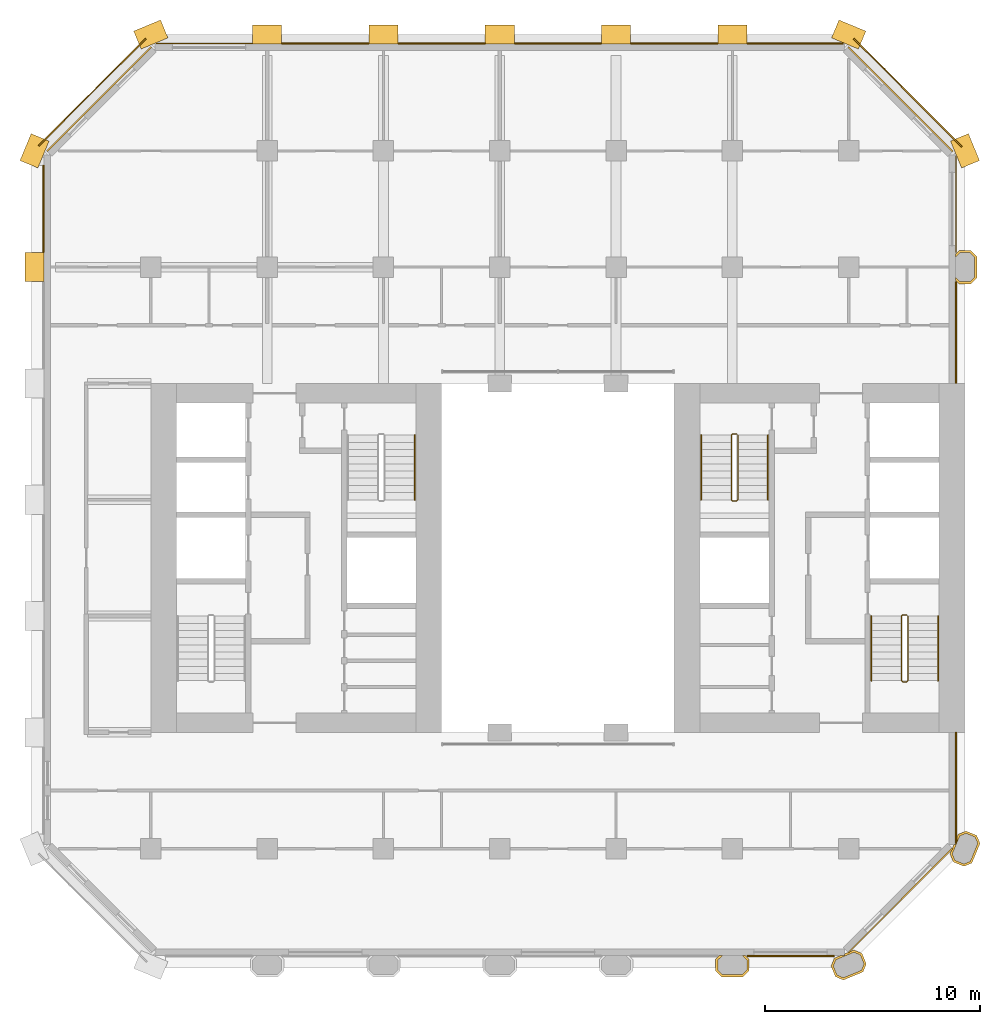
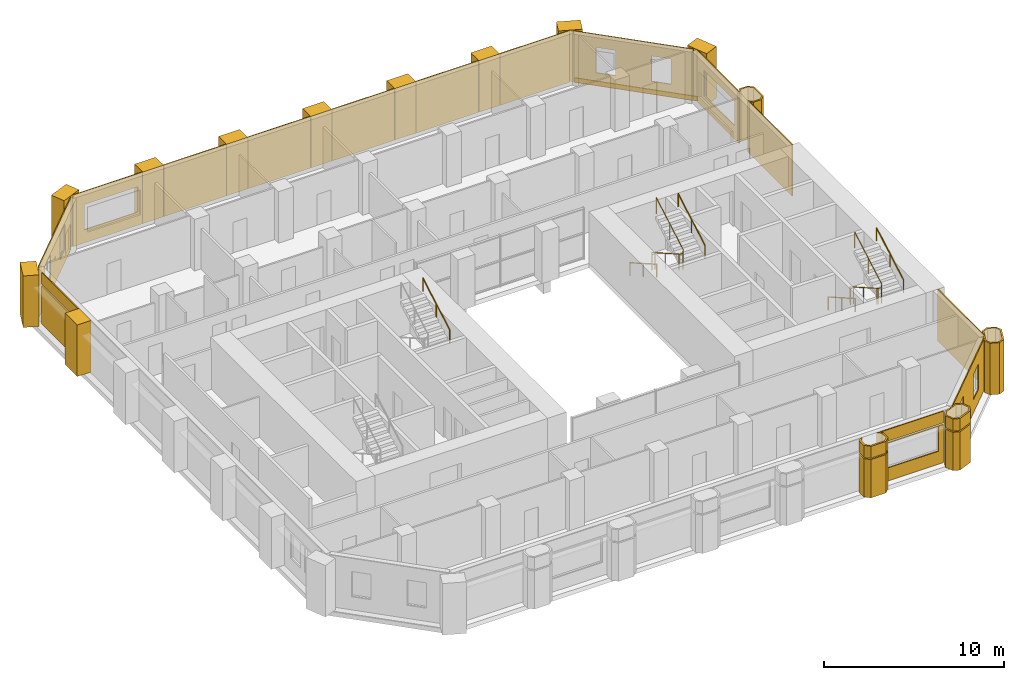
# One storey, part 12 of 12: 34 coverings, 7 railings.
"""IFC4 building model written with IfcOpenShell, lengths in metres."""

import ifcopenshell
import ifcopenshell.guid

model = None  # the IFC model being written
_history = None  # IfcOwnerHistory: only IFC2X3 demands one
_inside = {}  # id of a spatial element -> (the spatial element, [elements in it])
_under = {}  # id of a project, library or spatial element -> (it, [spatial elements below it])
_declared = {}  # id of a project -> (the project, [libraries it declares])
_typed = {}  # id of a type object -> (the type object, [elements of that type])
_made_of = {}  # id of a material, layer set ... -> (it, [elements and type objects made of it])


def new_model(schema):
    """Start an empty IFC model of exactly this schema.

    Asked for "IFC4X3", IfcOpenShell would pick the latest addendum, in which some entities
    have other attributes; the version numbers below select the first issue.
    IFC2X3 requires an IfcOwnerHistory on every rooted entity: one is made here for all.
    """
    global model, _history
    if schema == "IFC4X3":
        model = ifcopenshell.file(schema_version=(4, 3, 0, 0))
    else:
        model = ifcopenshell.file(schema=schema)
    _inside.clear()
    _under.clear()
    _declared.clear()
    _typed.clear()
    _made_of.clear()
    _history = None
    if model.schema == "IFC2X3":
        org = make("IfcOrganization", Name="unknown")
        user = make(
            "IfcPersonAndOrganization",
            ThePerson=make("IfcPerson", FamilyName="unknown"),
            TheOrganization=org,
        )
        app = make(
            "IfcApplication",
            ApplicationDeveloper=org,
            Version="unknown",
            ApplicationFullName="unknown",
            ApplicationIdentifier="unknown",
        )
        _history = make(
            "IfcOwnerHistory",
            OwningUser=user,
            OwningApplication=app,
            ChangeAction="ADDED",
            CreationDate=0,
        )
    return model


def make(cls, **values):
    """One entity of the class cls with the attributes given. An attribute that is None is left unset."""
    return model.create_entity(
        cls, **{name: value for name, value in values.items() if value is not None}
    )


def rooted(cls, **values):
    """An entity with a GlobalId (a new one), such as an element, a storey or a relation."""
    return make(cls, GlobalId=ifcopenshell.guid.new(), OwnerHistory=_history, **values)


def si_unit(unit_type, name, prefix=None):
    """IfcSIUnit, for example si_unit("LENGTHUNIT", "METRE", prefix="MILLI")."""
    return make("IfcSIUnit", UnitType=unit_type, Prefix=prefix, Name=name)


def assignment(units):
    """IfcUnitAssignment: the units of a project."""
    return None if units is None else make("IfcUnitAssignment", Units=units)


def point(xyz):
    """IfcCartesianPoint."""
    return None if xyz is None else make("IfcCartesianPoint", Coordinates=xyz)


def direction(xyz):
    """IfcDirection."""
    return None if xyz is None else make("IfcDirection", DirectionRatios=xyz)


def frame(location, z_axis=None, x_axis=None):
    """IfcAxis2Placement3D, a coordinate frame: its origin and axes. An axis left out is left unset."""
    return make(
        "IfcAxis2Placement3D",
        Location=point(location),
        Axis=direction(z_axis),
        RefDirection=direction(x_axis),
    )


def frame_2d(location, x_axis=None):
    """IfcAxis2Placement2D, a coordinate frame in the plane: its origin and x axis."""
    return make(
        "IfcAxis2Placement2D", Location=point(location), RefDirection=direction(x_axis)
    )


def origin():
    """The frame at (0, 0, 0) with its axes left unset."""
    return frame((0.0, 0.0, 0.0))


def origin_2d():
    """The frame at (0, 0) in the plane with its x axis left unset."""
    return frame_2d((0.0, 0.0))


def place(relative_to, where):
    """IfcLocalPlacement: puts the frame where relative to a parent placement (None: the world)."""
    return make(
        "IfcLocalPlacement", PlacementRelTo=relative_to, RelativePlacement=where
    )


def context(
    kind, dimensions, precision=None, world=None, true_north=None, identifier=None
):
    """IfcGeometricRepresentationContext, for example the 3D "Model" context."""
    return make(
        "IfcGeometricRepresentationContext",
        ContextIdentifier=identifier,
        ContextType=kind,
        CoordinateSpaceDimension=dimensions,
        Precision=precision,
        WorldCoordinateSystem=world,
        TrueNorth=true_north,
    )


def subcontext(parent, identifier, kind, view, scale=None):
    """IfcGeometricRepresentationSubContext, for example "Body" below "Model"."""
    return make(
        "IfcGeometricRepresentationSubContext",
        ContextIdentifier=identifier,
        ContextType=kind,
        ParentContext=parent,
        TargetScale=scale,
        TargetView=view,
    )


def project(units=None, contexts=None):
    """IfcProject with its units and contexts."""
    return rooted(
        "IfcProject",
        Name="project",
        RepresentationContexts=contexts,
        UnitsInContext=assignment(units),
    )


def spatial(cls, under=None, at=None, **own):
    """A site, building, storey or space (cls), placed at a placement, below another one or the project."""
    s = rooted(cls, ObjectPlacement=at, **own)
    if under is not None:
        _under.setdefault(under.id(), (under, []))[1].append(s)
    return s


def polyline(points):
    """IfcPolyline through the points."""
    return make("IfcPolyline", Points=[point(p) for p in points])


def profile(cls, at=None, kind="AREA", **sizes):
    """A parametric profile (cls). Its sizes go by their IFC names, for example OverallWidth=200.0."""
    return make(cls, ProfileType=kind, Position=at, **sizes)


def rectangle(**sizes):
    """IfcRectangleProfileDef."""
    return profile("IfcRectangleProfileDef", **sizes)


def circle(**sizes):
    """IfcCircleProfileDef."""
    return profile("IfcCircleProfileDef", **sizes)


def outline(outer, holes=None, kind="AREA"):
    """IfcArbitraryClosedProfileDef: a profile drawn as a closed curve; with holes, ...WithVoids."""
    if holes is None:
        return make("IfcArbitraryClosedProfileDef", ProfileType=kind, OuterCurve=outer)
    return make(
        "IfcArbitraryProfileDefWithVoids",
        ProfileType=kind,
        OuterCurve=outer,
        InnerCurves=holes,
    )


def extrude(swept, where, along, depth):
    """IfcExtrudedAreaSolid: the profile swept, set in the frame where, extruded along a direction by depth."""
    return make(
        "IfcExtrudedAreaSolid",
        SweptArea=swept,
        Position=where,
        ExtrudedDirection=direction(along),
        Depth=depth,
    )


def shape(context_of_items, identifier, shape_type, items):
    """IfcShapeRepresentation: the items that make up one representation, for example the "Body"."""
    return make(
        "IfcShapeRepresentation",
        ContextOfItems=context_of_items,
        RepresentationIdentifier=identifier,
        RepresentationType=shape_type,
        Items=items,
    )


def material(Name=None, Category=None):
    """IfcMaterial."""
    return make("IfcMaterial", Name=Name, Category=Category)


def layer(
    of_material, thickness, ventilated=None, Name=None, Category=None, Priority=None
):
    """IfcMaterialLayer: one layer of a wall or slab, of a material (None: an air gap)."""
    return make(
        "IfcMaterialLayer",
        Material=of_material,
        LayerThickness=thickness,
        IsVentilated=ventilated,
        Name=Name,
        Category=Category,
        Priority=Priority,
    )


def layer_set(layers, Name=None):
    """IfcMaterialLayerSet."""
    return make("IfcMaterialLayerSet", MaterialLayers=layers, LayerSetName=Name)


def made_of(thing, what):
    """Note that an element or type object is made of a material, layer set ...; save() writes the relation."""
    if what is not None:
        _made_of.setdefault(what.id(), (what, []))[1].append(thing)
    return thing


def type_object(cls, material=None, **own):
    """A type object (cls), such as IfcWallType, which elements share."""
    return made_of(rooted(cls, **own), material)


def element(
    cls,
    number,
    at=None,
    inside=None,
    cuts=None,
    type_object=None,
    material=None,
    context=None,
    identifier="Body",
    shape_type=None,
    held_by="IfcProductDefinitionShape",
    body=None,
    shapes=None,
    **own,
):
    """One element of the class cls, such as IfcWall. Its Tag is "e" and its number.

    at: its placement. inside: the storey or other place that contains it. cuts: it is an
    opening in that element (IfcRelVoidsElement). A single representation is given by context,
    identifier, shape_type and body (its items); several are given by shapes. held_by: the class
    of the entity that holds the representations. save() writes the other relations.
    """
    e = rooted(cls, Tag="e%d" % number, ObjectPlacement=at, **own)
    if body is not None:
        shapes = [shape(context, identifier, shape_type, body)]
    if shapes is not None:
        e.Representation = make(held_by, Representations=shapes)
    if inside is not None:
        _inside.setdefault(inside.id(), (inside, []))[1].append(e)
    if cuts is not None:
        rooted(
            "IfcRelVoidsElement", RelatingBuildingElement=cuts, RelatedOpeningElement=e
        )
    if type_object is not None:
        _typed.setdefault(type_object.id(), (type_object, []))[1].append(e)
    return made_of(e, material)


def aggregate(whole, parts):
    """IfcRelAggregates: a whole, such as a stair, and the parts it consists of."""
    return rooted("IfcRelAggregates", RelatingObject=whole, RelatedObjects=parts)


def save(model, path):
    """Write the relations noted so far, then the file.

    IfcRelAggregates (storeys below a building ...), IfcRelContainedInSpatialStructure (elements
    in a storey), IfcRelDefinesByType, IfcRelAssociatesMaterial and IfcRelDeclares: one each for
    every whole, place, type object, material and project.
    """
    for whole, parts in _under.values():
        aggregate(whole, parts)
    for where, things in _inside.values():
        rooted(
            "IfcRelContainedInSpatialStructure",
            RelatedElements=things,
            RelatingStructure=where,
        )
    for kind, things in _typed.values():
        rooted("IfcRelDefinesByType", RelatedObjects=things, RelatingType=kind)
    for what, things in _made_of.values():
        rooted("IfcRelAssociatesMaterial", RelatedObjects=things, RelatingMaterial=what)
    for by, libraries in _declared.values():
        rooted("IfcRelDeclares", RelatingContext=by, RelatedDefinitions=libraries)
    model.write(path)


model = new_model("IFC4")

# Units and contexts
model_context = context("Model", 3, precision=1e-05, world=origin(), true_north=direction((0.0, 1.0)))
body_context = subcontext(model_context, "Body", "Model", "MODEL_VIEW")
ifc_project = project(units=[si_unit("LENGTHUNIT", "METRE"), si_unit("AREAUNIT", "SQUARE_METRE"), si_unit("VOLUMEUNIT", "CUBIC_METRE"), si_unit("PLANEANGLEUNIT", "RADIAN"), si_unit("MASSUNIT", "GRAM", prefix="KILO")], contexts=[model_context])

# Site, building, storey
site_placement = place(None, origin())
site = spatial("IfcSite", under=ifc_project, at=site_placement, CompositionType="ELEMENT")
building_placement = place(site_placement, origin())
building = spatial("IfcBuilding", under=site, at=building_placement, Name="Tabaq Tower and Sports Hall", CompositionType="ELEMENT")
storey_placement = place(building_placement, frame((0.0, 0.0, 99.199951171875)))
storey = spatial("IfcBuildingStorey", under=building, at=storey_placement, Name="L23", CompositionType="ELEMENT", Elevation=99.199951171875)

# Coverings
ifc_material_1 = material(Name="Precast concrete C60/75", Category="concrete")
ifc_layer_1 = layer(ifc_material_1, 0.10009765625)
ifc_layer_set_1 = layer_set([ifc_layer_1], Name="Column cladding 100")
covering_type_1 = type_object("IfcCoveringType", Name="Column cladding 100", PredefinedType="CLADDING", material=ifc_layer_set_1)
covering_1_placement = place(storey_placement, origin())
element("IfcCovering", 1, at=covering_1_placement, inside=storey, type_object=covering_type_1, Name="Column cladding L23 PC-7B-O3", PredefinedType="CLADDING", context=body_context, shape_type="SweptSolid", body=[
    extrude(outline(polyline([(31.625244140625, 5.666259765625), (31.80859375, 5.849609375), (31.94921875, 5.849609375), (31.724609375, 5.625244140625), (31.724609375, 5.1748046875), (31.949951171875, 4.94970703125), (32.85009765625, 4.94970703125), (33.0751953125, 5.1748046875), (33.0751953125, 5.625244140625), (32.850830078125, 5.849609375), (32.9912109375, 5.849609375), (33.1748046875, 5.666259765625), (33.1748046875, 5.1337890625), (32.891357421875, 4.850341796875), (31.90869140625, 4.850341796875), (31.625244140625, 5.1337890625), (31.625244140625, 5.666259765625)])), origin(), (0.0, 0.0, 1.0), 2.60009765625),
])
covering_2_placement = place(storey_placement, frame((0.0, 0.0, 2.699951171875)))
element("IfcCovering", 2, at=covering_2_placement, inside=storey, type_object=covering_type_1, Name="Column cladding L23 PC-7B-O3 2", PredefinedType="CLADDING", context=body_context, shape_type="SweptSolid", body=[
    extrude(outline(polyline([(31.625244140625, 5.666259765625), (31.80859375, 5.849609375), (31.94921875, 5.849609375), (31.724609375, 5.625244140625), (31.724609375, 5.1748046875), (31.949951171875, 4.94970703125), (32.85009765625, 4.94970703125), (33.0751953125, 5.1748046875), (33.0751953125, 5.625244140625), (32.850830078125, 5.849609375), (32.9912109375, 5.849609375), (33.1748046875, 5.666259765625), (33.1748046875, 5.1337890625), (32.891357421875, 4.850341796875), (31.90869140625, 4.850341796875), (31.625244140625, 5.1337890625), (31.625244140625, 5.666259765625)])), origin(), (0.0, 0.0, 1.0), 0.800048828125),
])
covering_3_placement = place(storey_placement, origin())
element("IfcCovering", 3, at=covering_3_placement, inside=storey, type_object=covering_type_1, Name="Column cladding L23 PC-8B-O3", PredefinedType="CLADDING", context=body_context, shape_type="SweptSolid", body=[
    extrude(outline(polyline([(36.982421875, 5.349609375), (37.1357421875, 5.7197265625), (37.44921875, 5.849609375), (37.614013671875, 5.849609375), (37.614013671875, 5.91796875), (37.767578125, 5.9814453125), (37.799072265625, 5.9501953125), (37.875, 6.026123046875), (38.04345703125, 6.095947265625), (38.413818359375, 5.9423828125), (38.61767578125, 5.450439453125), (38.46435546875, 5.080078125), (37.556396484375, 4.7041015625), (37.186279296875, 4.857421875), (36.982421875, 5.349609375)]), holes=[polyline([(38.510009765625, 5.450439453125), (38.337646484375, 5.866455078125), (38.04345703125, 5.98828125), (37.2119140625, 5.643798828125), (37.08984375, 5.349609375), (37.26220703125, 4.93359375), (37.556396484375, 4.811767578125), (38.38818359375, 5.15625), (38.510009765625, 5.450439453125)])]), origin(), (0.0, 0.0, 1.0), 2.60009765625),
])
covering_4_placement = place(storey_placement, frame((0.0, 0.0, 2.699951171875)))
element("IfcCovering", 4, at=covering_4_placement, inside=storey, type_object=covering_type_1, Name="Column cladding L23 PC-8B-O3 2", PredefinedType="CLADDING", context=body_context, shape_type="SweptSolid", body=[
    extrude(outline(polyline([(36.982421875, 5.349609375), (37.1357421875, 5.7197265625), (37.44921875, 5.849609375), (37.614013671875, 5.849609375), (37.614013671875, 5.91796875), (37.767578125, 5.9814453125), (37.799072265625, 5.9501953125), (37.875, 6.026123046875), (38.04345703125, 6.095947265625), (38.413818359375, 5.9423828125), (38.61767578125, 5.450439453125), (38.46435546875, 5.080078125), (37.556396484375, 4.7041015625), (37.186279296875, 4.857421875), (36.982421875, 5.349609375)]), holes=[polyline([(38.510009765625, 5.450439453125), (38.337646484375, 5.866455078125), (38.04345703125, 5.98828125), (37.2119140625, 5.643798828125), (37.08984375, 5.349609375), (37.26220703125, 4.93359375), (37.556396484375, 4.811767578125), (38.38818359375, 5.15625), (38.510009765625, 5.450439453125)])]), origin(), (0.0, 0.0, 1.0), 0.800048828125),
])
covering_5_placement = place(storey_placement, origin())
element("IfcCovering", 5, at=covering_5_placement, inside=storey, type_object=covering_type_1, Name="Column cladding L23 PC-9C-O3", PredefinedType="CLADDING", context=body_context, shape_type="SweptSolid", body=[
    extrude(outline(polyline([(42.657470703125, 10.186279296875), (42.504150390625, 10.556396484375), (42.573974609375, 10.72509765625), (42.64990234375, 10.801025390625), (42.618408203125, 10.83251953125), (42.68212890625, 10.986083984375), (42.750244140625, 10.986083984375), (42.750244140625, 11.04296875), (42.810302734375, 11.04296875), (42.810302734375, 11.295654296875), (42.880126953125, 11.46435546875), (43.25048828125, 11.61767578125), (43.742431640625, 11.413818359375), (43.895751953125, 11.04345703125), (43.519775390625, 10.1357421875), (43.149658203125, 9.982421875), (42.657470703125, 10.186279296875)]), holes=[polyline([(43.66650390625, 11.337646484375), (43.25048828125, 11.510009765625), (42.956298828125, 11.38818359375), (42.61181640625, 10.556396484375), (42.733642578125, 10.26220703125), (43.149658203125, 10.08984375), (43.44384765625, 10.2119140625), (43.788330078125, 11.04345703125), (43.66650390625, 11.337646484375)])]), origin(), (0.0, 0.0, 1.0), 3.5),
])
covering_6_placement = place(storey_placement, origin())
element("IfcCovering", 6, at=covering_6_placement, inside=storey, type_object=covering_type_1, Name="Column cladding L23 PC-9H-O3", PredefinedType="CLADDING", context=body_context, shape_type="SweptSolid", body=[
    extrude(outline(polyline([(42.93359375, 37.025390625), (42.750244140625, 37.208740234375), (42.750244140625, 37.349365234375), (42.974853515625, 37.124755859375), (43.425048828125, 37.124755859375), (43.650390625, 37.349853515625), (43.650390625, 38.250244140625), (43.425048828125, 38.475341796875), (42.974853515625, 38.475341796875), (42.750244140625, 38.250732421875), (42.750244140625, 38.391357421875), (42.93359375, 38.57470703125), (43.46630859375, 38.57470703125), (43.749755859375, 38.291259765625), (43.749755859375, 37.30859375), (43.46630859375, 37.025390625), (42.93359375, 37.025390625)])), origin(), (0.0, 0.0, 1.0), 3.5),
])
ifc_material_2 = material(Name="Precast concrete C60/75", Category="concrete")
ifc_layer_2 = layer(ifc_material_2, 0.06005859375)
ifc_layer_set_2 = layer_set([ifc_layer_2], Name="Edge beam cladding 60")
covering_type_2 = type_object("IfcCoveringType", Name="Edge beam cladding 60", PredefinedType="CLADDING", material=ifc_layer_set_2)
covering_7_placement = place(storey_placement, frame((43.04443359375, 43.39794921875, -0.300048828125), z_axis=(0.0, 0.0, 1.0), x_axis=(-0.707106781187, 0.707106781187, 0.0)))
element("IfcCovering", 7, at=covering_7_placement, inside=storey, type_object=covering_type_2, Name="Edge beam cladding L23 1", PredefinedType="CLADDING", context=body_context, shape_type="SweptSolid", body=[
    extrude(rectangle(XDim=7.08837890625, YDim=0.06005859375, at=frame_2d((3.544189453125, 0.0))), origin(), (0.0, 0.0, 1.0), 0.300048828125),
])
covering_8_placement = place(storey_placement, frame((5.167724609375, 48.41015625, -0.300048828125), z_axis=(0.0, 0.0, 1.0), x_axis=(-0.707106781187, -0.707106781187, 0.0)))
element("IfcCovering", 8, at=covering_8_placement, inside=storey, type_object=covering_type_2, Name="Edge beam cladding L23 3", PredefinedType="CLADDING", context=body_context, shape_type="SweptSolid", body=[
    extrude(rectangle(XDim=7.03955078125, YDim=0.06005859375, at=frame_2d((3.519775390625, 0.0))), origin(), (0.0, 0.0, 1.0), 0.300048828125),
])
ifc_material_3 = material(Name="White precast concrete C60/75", Category="concrete")
covering_type_3 = type_object("IfcCoveringType", Name="Pier cladding hung 1350x900", PredefinedType="CLADDING", material=ifc_material_3)
for number, where, z_axis, x_axis, name in (
    (9, (0.0, 38.47509765625, 0.0), (0.0, 0.0, 1.0), (0.0, -1.0, 0.0), "Hung pier cladding 0/7"),
    (10, (0.25830078125, 43.82373046875, 0.0), (0.0, 0.0, 1.0), (-0.382649923473, -0.923893411637, 0.0), "Hung pier cladding 0/8"),
    (11, (6.023681640625, 48.8583984375, 0.0), (0.0, 0.0, 1.0), (-0.923893411637, -0.382649923473, 0.0), "Hung pier cladding 1/9"),
    (12, (11.47509765625, 48.60009765625, 0.0), (0.0, 0.0, 1.0), (-1.0, 0.0, 0.0), "Hung pier cladding 2/9"),
    (13, (16.875, 48.60009765625, 0.0), (0.0, 0.0, 1.0), (-1.0, 0.0, 0.0), "Hung pier cladding 3/9"),
):
    element("IfcCovering", number, at=place(storey_placement, frame(where, z_axis=z_axis, x_axis=x_axis)), inside=storey, type_object=covering_type_3, Name=name, PredefinedType="CLADDING", context=body_context, shape_type="SweptSolid", body=[
        extrude(rectangle(XDim=1.35009765625, YDim=0.89990234375, at=frame_2d((0.675048828125, 0.0))), origin(), (0.0, 0.0, 1.0), 3.5),
    ])
covering_9_placement = place(storey_placement, frame((22.27490234375, 48.60009765625, 0.0), z_axis=(0.0, 0.0, 1.0), x_axis=(-1.0, 0.0, 0.0)))
element("IfcCovering", 14, at=covering_9_placement, inside=storey, type_object=covering_type_3, Name="Hung pier cladding 4/9", PredefinedType="CLADDING", context=body_context, shape_type="SweptSolid", body=[
    extrude(rectangle(XDim=1.349853515625, YDim=0.89990234375, at=frame_2d((0.6748046875, 0.0))), origin(), (0.0, 0.0, 1.0), 3.5),
])
covering_10_placement = place(storey_placement, frame((27.675048828125, 48.60009765625, 0.0), z_axis=(0.0, 0.0, 1.0), x_axis=(-1.0, 0.0, 0.0)))
element("IfcCovering", 15, at=covering_10_placement, inside=storey, type_object=covering_type_3, Name="Hung pier cladding 5/9", PredefinedType="CLADDING", context=body_context, shape_type="SweptSolid", body=[
    extrude(rectangle(XDim=1.35009765625, YDim=0.89990234375, at=frame_2d((0.675048828125, 0.0))), origin(), (0.0, 0.0, 1.0), 3.5),
])
covering_11_placement = place(storey_placement, frame((33.074951171875, 48.60009765625, 0.0), z_axis=(0.0, 0.0, 1.0), x_axis=(-1.0, 0.0, 0.0)))
element("IfcCovering", 16, at=covering_11_placement, inside=storey, type_object=covering_type_3, Name="Hung pier cladding 6/9", PredefinedType="CLADDING", context=body_context, shape_type="SweptSolid", body=[
    extrude(rectangle(XDim=1.349853515625, YDim=0.89990234375, at=frame_2d((0.6748046875, 0.0))), origin(), (0.0, 0.0, 1.0), 3.5),
])
for number, where, z_axis, x_axis, name in (
    (17, (38.423583984375, 48.341796875, 0.0), (0.0, 0.0, 1.0), (-0.923893411637, 0.382649923473, 0.0), "Hung pier cladding 7/9"),
    (18, (43.458251953125, 42.576416015625, 0.0), (0.0, 0.0, 1.0), (-0.382649923473, 0.923893411637, 0.0), "Hung pier cladding 8/8"),
):
    element("IfcCovering", number, at=place(storey_placement, frame(where, z_axis=z_axis, x_axis=x_axis)), inside=storey, type_object=covering_type_3, Name=name, PredefinedType="CLADDING", context=body_context, shape_type="SweptSolid", body=[
        extrude(rectangle(XDim=1.35009765625, YDim=0.89990234375, at=frame_2d((0.675048828125, 0.0))), origin(), (0.0, 0.0, 1.0), 3.5),
    ])

# Railings
ifc_material_4 = material(Name="Stainless steel", Category="steel")
railing_type_1 = type_object("IfcRailingType", Name="Stair guard", PredefinedType="GUARDRAIL", material=ifc_material_4)
railing_1_placement = place(storey_placement, frame((40.5, 21.64990234375, 0.0)))
element("IfcRailing", 19, at=railing_1_placement, inside=storey, type_object=railing_type_1, Name="L23 ST3 stair guard 1", PredefinedType="GUARDRAIL", context=body_context, shape_type="SweptSolid", body=[
    extrude(circle(Radius=0.02392578125, at=origin_2d()), frame((0.0, 0.0, 1.076171875), z_axis=(-1.0, 0.0, 0.0), x_axis=(0.0, -1.0, 0.0)), (0.0, 0.0, 1.0), 0.199951171875),
    extrude(circle(Radius=0.02392578125, at=origin_2d()), frame((-0.199951171875, 0.0, 1.076171875), z_axis=(-0.246983470365, -0.245778672949, 0.937332389972), x_axis=(0.705375805398, -0.708833529934, 0.0)), (0.0, 0.0, 1.0), 0.20263671875),
    extrude(circle(Radius=0.02392578125, at=origin_2d()), frame((-0.25, -0.0498046875, 1.26611328125), z_axis=(0.0, -0.868751719353, 0.495247867356), x_axis=(1.0, 0.0, 0.0)), (0.0, 0.0, 1.0), 3.453125),
    extrude(circle(Radius=0.02392578125, at=origin_2d()), frame((-0.25, -3.0498046875, 2.97607421875), z_axis=(0.707106781187, -0.707106781187, 0.0), x_axis=(0.707106781187, 0.707106781187, 0.0)), (0.0, 0.0, 1.0), 0.07080078125),
    extrude(circle(Radius=0.02392578125, at=origin_2d()), frame((-0.199951171875, -3.099853515625, 2.97607421875), z_axis=(1.0, 0.0, 0.0), x_axis=(0.0, 1.0, 0.0)), (0.0, 0.0, 1.0), 0.199951171875),
    extrude(circle(Radius=0.02392578125, at=origin_2d()), frame((0.0, -3.099853515625, 2.97607421875), z_axis=(0.246910188598, 0.246910188598, 0.937054276727), x_axis=(-0.707106781187, 0.707106781187, 0.0)), (0.0, 0.0, 1.0), 0.20263671875),
    extrude(circle(Radius=0.02392578125, at=origin_2d()), frame((0.050048828125, -3.0498046875, 3.166015625), z_axis=(0.0, 0.868782136927, 0.495194505781), x_axis=(-1.0, 0.0, 0.0)), (0.0, 0.0, 1.0), 3.453125),
    extrude(circle(Radius=0.02099609375, at=origin_2d()), origin(), (0.0, 0.0, 1.0), 1.052001953125),
    extrude(circle(Radius=0.02099609375, at=origin_2d()), frame((-0.199951171875, 0.0, 0.0)), (0.0, 0.0, 1.0), 1.052001953125),
    extrude(circle(Radius=0.02099609375, at=origin_2d()), frame((-0.25, -0.0498046875, 0.18994140625)), (0.0, 0.0, 1.0), 1.052001953125),
    extrude(circle(Radius=0.02099609375, at=origin_2d()), frame((-0.25, -1.5498046875, 1.044921875)), (0.0, 0.0, 1.0), 1.052001953125),
    extrude(circle(Radius=0.02099609375, at=origin_2d()), frame((-0.25, -3.0498046875, 1.900146484375)), (0.0, 0.0, 1.0), 1.052001953125),
    extrude(circle(Radius=0.02099609375, at=origin_2d()), frame((-0.199951171875, -3.099853515625, 1.900146484375)), (0.0, 0.0, 1.0), 1.052001953125),
    extrude(circle(Radius=0.02099609375, at=origin_2d()), frame((0.0, -3.099853515625, 1.900146484375)), (0.0, 0.0, 1.0), 1.052001953125),
    extrude(circle(Radius=0.02099609375, at=origin_2d()), frame((0.050048828125, -3.0498046875, 2.090087890625)), (0.0, 0.0, 1.0), 1.052001953125),
    extrude(circle(Radius=0.02099609375, at=origin_2d()), frame((0.050048828125, -1.5498046875, 2.945068359375)), (0.0, 0.0, 1.0), 1.052001953125),
    extrude(circle(Radius=0.02099609375, at=origin_2d()), frame((0.050048828125, -0.0498046875, 3.800048828125)), (0.0, 0.0, 1.0), 1.052001953125),
])
railing_2_placement = place(storey_placement, frame((32.60009765625, 30.050048828125, 0.0)))
element("IfcRailing", 20, at=railing_2_placement, inside=storey, type_object=railing_type_1, Name="L23 ST4 stair guard 1", PredefinedType="GUARDRAIL", context=body_context, shape_type="SweptSolid", body=[
    extrude(circle(Radius=0.02392578125, at=origin_2d()), frame((0.0, 0.0, 1.076171875), z_axis=(-1.0, 0.0, 0.0), x_axis=(0.0, -1.0, 0.0)), (0.0, 0.0, 1.0), 0.2001953125),
    extrude(circle(Radius=0.02392578125, at=origin_2d()), frame((-0.2001953125, 0.0, 1.076171875), z_axis=(-0.245778672949, -0.246983470365, 0.937332389972), x_axis=(0.708833529934, -0.705375805398, 0.0)), (0.0, 0.0, 1.0), 0.20263671875),
    extrude(circle(Radius=0.02392578125, at=origin_2d()), frame((-0.25, -0.050048828125, 1.26611328125), z_axis=(0.0, -0.868751719353, 0.495247867356), x_axis=(1.0, 0.0, 0.0)), (0.0, 0.0, 1.0), 3.453125),
    extrude(circle(Radius=0.02392578125, at=origin_2d()), frame((-0.25, -3.050048828125, 2.97607421875), z_axis=(0.705375805398, -0.708833529934, 0.0), x_axis=(0.708833529934, 0.705375805398, 0.0)), (0.0, 0.0, 1.0), 0.070556640625),
    extrude(circle(Radius=0.02392578125, at=origin_2d()), frame((-0.2001953125, -3.10009765625, 2.97607421875), z_axis=(1.0, 0.0, 0.0), x_axis=(0.0, 1.0, 0.0)), (0.0, 0.0, 1.0), 0.2001953125),
    extrude(circle(Radius=0.02392578125, at=origin_2d()), frame((0.0, -3.10009765625, 2.97607421875), z_axis=(0.245778672949, 0.246983470365, 0.937332389972), x_axis=(-0.708833529934, 0.705375805398, 0.0)), (0.0, 0.0, 1.0), 0.20263671875),
    extrude(circle(Radius=0.02392578125, at=origin_2d()), frame((0.0498046875, -3.050048828125, 3.166015625), z_axis=(0.0, 0.868782136927, 0.495194505781), x_axis=(-1.0, 0.0, 0.0)), (0.0, 0.0, 1.0), 3.453125),
    extrude(circle(Radius=0.02099609375, at=origin_2d()), origin(), (0.0, 0.0, 1.0), 1.052001953125),
    extrude(circle(Radius=0.02099609375, at=origin_2d()), frame((-0.2001953125, 0.0, 0.0)), (0.0, 0.0, 1.0), 1.052001953125),
    extrude(circle(Radius=0.02099609375, at=origin_2d()), frame((-0.25, -0.050048828125, 0.18994140625)), (0.0, 0.0, 1.0), 1.052001953125),
    extrude(circle(Radius=0.02099609375, at=origin_2d()), frame((-0.25, -1.550048828125, 1.044921875)), (0.0, 0.0, 1.0), 1.052001953125),
    extrude(circle(Radius=0.02099609375, at=origin_2d()), frame((-0.25, -3.050048828125, 1.900146484375)), (0.0, 0.0, 1.0), 1.052001953125),
    extrude(circle(Radius=0.02099609375, at=origin_2d()), frame((-0.2001953125, -3.10009765625, 1.900146484375)), (0.0, 0.0, 1.0), 1.052001953125),
    extrude(circle(Radius=0.02099609375, at=origin_2d()), frame((0.0, -3.10009765625, 1.900146484375)), (0.0, 0.0, 1.0), 1.052001953125),
    extrude(circle(Radius=0.02099609375, at=origin_2d()), frame((0.0498046875, -3.050048828125, 2.090087890625)), (0.0, 0.0, 1.0), 1.052001953125),
    extrude(circle(Radius=0.02099609375, at=origin_2d()), frame((0.0498046875, -1.550048828125, 2.945068359375)), (0.0, 0.0, 1.0), 1.052001953125),
    extrude(circle(Radius=0.02099609375, at=origin_2d()), frame((0.0498046875, -0.050048828125, 3.800048828125)), (0.0, 0.0, 1.0), 1.052001953125),
])
ifc_material_5 = material(Name="Stainless steel", Category="steel")
railing_type_2 = type_object("IfcRailingType", Name="Stair handrail", PredefinedType="HANDRAIL", material=ifc_material_5)
railing_3_placement = place(storey_placement, frame((17.64990234375, 27.0, 2.090087890625)))
element("IfcRailing", 21, at=railing_3_placement, inside=storey, type_object=railing_type_2, Name="L23 ST2 stair handrail 2", PredefinedType="HANDRAIL", context=body_context, shape_type="SweptSolid", body=[
    extrude(circle(Radius=0.02392578125, at=origin_2d()), frame((0.0, 0.0, 0.8759765625), z_axis=(0.0, 0.868782136927, 0.495194505781), x_axis=(-1.0, 0.0, 0.0)), (0.0, 0.0, 1.0), 3.453125),
    extrude(circle(Radius=0.02099609375, at=origin_2d()), origin(), (0.0, 0.0, 1.0), 0.851806640625),
    extrude(circle(Radius=0.02099609375, at=origin_2d()), frame((0.0, 1.5, 0.85498046875)), (0.0, 0.0, 1.0), 0.851806640625),
    extrude(circle(Radius=0.02099609375, at=origin_2d()), frame((0.0, 3.0, 1.7099609375)), (0.0, 0.0, 1.0), 0.851806640625),
])
railing_4_placement = place(storey_placement, frame((38.85009765625, 21.60009765625, 0.18994140625)))
element("IfcRailing", 22, at=railing_4_placement, inside=storey, type_object=railing_type_2, Name="L23 ST3 stair handrail 1", PredefinedType="HANDRAIL", context=body_context, shape_type="SweptSolid", body=[
    extrude(circle(Radius=0.02392578125, at=origin_2d()), frame((0.0, 0.0, 0.8759765625), z_axis=(0.0, -0.868751719353, 0.495247867356), x_axis=(1.0, 0.0, 0.0)), (0.0, 0.0, 1.0), 3.453125),
    extrude(circle(Radius=0.02099609375, at=origin_2d()), origin(), (0.0, 0.0, 1.0), 0.851806640625),
    extrude(circle(Radius=0.02099609375, at=origin_2d()), frame((0.0, -1.5, 0.85498046875)), (0.0, 0.0, 1.0), 0.851806640625),
    extrude(circle(Radius=0.02099609375, at=origin_2d()), frame((0.0, -3.0, 1.710205078125)), (0.0, 0.0, 1.0), 0.851806640625),
])
railing_5_placement = place(storey_placement, frame((41.949951171875, 18.60009765625, 2.090087890625)))
element("IfcRailing", 23, at=railing_5_placement, inside=storey, type_object=railing_type_2, Name="L23 ST3 stair handrail 2", PredefinedType="HANDRAIL", context=body_context, shape_type="SweptSolid", body=[
    extrude(circle(Radius=0.02392578125, at=origin_2d()), frame((0.0, 0.0, 0.8759765625), z_axis=(0.0, 0.868782136927, 0.495194505781), x_axis=(-1.0, 0.0, 0.0)), (0.0, 0.0, 1.0), 3.453125),
    extrude(circle(Radius=0.02099609375, at=origin_2d()), origin(), (0.0, 0.0, 1.0), 0.851806640625),
    extrude(circle(Radius=0.02099609375, at=origin_2d()), frame((0.0, 1.5, 0.85498046875)), (0.0, 0.0, 1.0), 0.851806640625),
    extrude(circle(Radius=0.02099609375, at=origin_2d()), frame((0.0, 3.0, 1.7099609375)), (0.0, 0.0, 1.0), 0.851806640625),
])
railing_6_placement = place(storey_placement, frame((30.949951171875, 30.0, 0.18994140625)))
element("IfcRailing", 24, at=railing_6_placement, inside=storey, type_object=railing_type_2, Name="L23 ST4 stair handrail 1", PredefinedType="HANDRAIL", context=body_context, shape_type="SweptSolid", body=[
    extrude(circle(Radius=0.02392578125, at=origin_2d()), frame((0.0, 0.0, 0.8759765625), z_axis=(0.0, -0.868751719353, 0.495247867356), x_axis=(1.0, 0.0, 0.0)), (0.0, 0.0, 1.0), 3.453125),
    extrude(circle(Radius=0.02099609375, at=origin_2d()), origin(), (0.0, 0.0, 1.0), 0.851806640625),
    extrude(circle(Radius=0.02099609375, at=origin_2d()), frame((0.0, -1.5, 0.85498046875)), (0.0, 0.0, 1.0), 0.851806640625),
    extrude(circle(Radius=0.02099609375, at=origin_2d()), frame((0.0, -3.0, 1.710205078125)), (0.0, 0.0, 1.0), 0.851806640625),
])
railing_7_placement = place(storey_placement, frame((34.050048828125, 27.0, 2.090087890625)))
element("IfcRailing", 25, at=railing_7_placement, inside=storey, type_object=railing_type_2, Name="L23 ST4 stair handrail 2", PredefinedType="HANDRAIL", context=body_context, shape_type="SweptSolid", body=[
    extrude(circle(Radius=0.02392578125, at=origin_2d()), frame((0.0, 0.0, 0.8759765625), z_axis=(0.0, 0.868782136927, 0.495194505781), x_axis=(-1.0, 0.0, 0.0)), (0.0, 0.0, 1.0), 3.453125),
    extrude(circle(Radius=0.02099609375, at=origin_2d()), origin(), (0.0, 0.0, 1.0), 0.851806640625),
    extrude(circle(Radius=0.02099609375, at=origin_2d()), frame((0.0, 1.5, 0.85498046875)), (0.0, 0.0, 1.0), 0.851806640625),
    extrude(circle(Radius=0.02099609375, at=origin_2d()), frame((0.0, 3.0, 1.7099609375)), (0.0, 0.0, 1.0), 0.851806640625),
])

# Coverings
ifc_material_6 = material(Name="Precast concrete C60/75", Category="concrete")
ifc_layer_3 = layer(ifc_material_6, 0.06005859375)
ifc_layer_set_3 = layer_set([ifc_layer_3], Name="White precast cladding panel 60 C60/75")
covering_type_4 = type_object("IfcCoveringType", Name="White precast cladding panel 60 C60/75", PredefinedType="CLADDING", material=ifc_layer_set_3)
covering_12_placement = place(storey_placement, frame((33.0849609375, 5.820068359375, 0.0), z_axis=(0.0, 0.0, 1.0), x_axis=(1.0, 0.0, 0.0)))
element("IfcCovering", 26, at=covering_12_placement, inside=storey, type_object=covering_type_4, Name="White precast cladding panel L23 wall00 11", PredefinedType="CLADDING", context=body_context, shape_type="SweptSolid", body=[
    extrude(outline(polyline([(0.0, 0.0), (4.050048828125, 0.0), (4.050048828125, 2.590087890625), (0.0, 2.590087890625), (0.0, 0.0)]), holes=[polyline([(3.72509765625, 0.89013671875), (0.304931640625, 0.89013671875), (0.304931640625, 2.56005859375), (3.72509765625, 2.56005859375), (3.72509765625, 0.89013671875)])]), frame((0.0, 0.030029296875, 0.0), z_axis=(0.0, -1.0, 0.0), x_axis=(1.0, 0.0, 0.0)), (0.0, 0.0, 1.0), 0.06005859375),
])
covering_13_placement = place(storey_placement, frame((33.0849609375, 5.820068359375, 2.7099609375), z_axis=(0.0, 0.0, 1.0), x_axis=(1.0, 0.0, 0.0)))
element("IfcCovering", 27, at=covering_13_placement, inside=storey, type_object=covering_type_4, Name="White precast cladding panel L23 wall00 12", PredefinedType="CLADDING", context=body_context, shape_type="SweptSolid", body=[
    extrude(rectangle(XDim=4.050048828125, YDim=0.06005859375, at=frame_2d((2.02490234375, 0.0))), origin(), (0.0, 0.0, 1.0), 0.7900390625),
])
covering_14_placement = place(storey_placement, frame((37.77783203125, 5.9716796875, 0.0), z_axis=(0.0, 0.0, 1.0), x_axis=(0.707088985397, 0.707124576528, 0.0)))
element("IfcCovering", 28, at=covering_14_placement, inside=storey, type_object=covering_type_4, Name="White precast cladding panel L23 wall01", PredefinedType="CLADDING", context=body_context, shape_type="SweptSolid", body=[
    extrude(outline(polyline([(0.0, 0.0), (6.859619140625, 0.0), (6.859619140625, 3.5), (0.0, 3.5), (0.0, 0.0)]), holes=[polyline([(1.269775390625, 2.610107421875), (2.389892578125, 2.610107421875), (2.389892578125, 0.89013671875), (1.269775390625, 0.89013671875), (1.269775390625, 2.610107421875)]), polyline([(4.4697265625, 2.610107421875), (5.58984375, 2.610107421875), (5.58984375, 0.89013671875), (4.4697265625, 0.89013671875), (4.4697265625, 2.610107421875)])]), frame((0.0, 0.030029296875, 0.0), z_axis=(0.0, -1.0, 0.0), x_axis=(1.0, 0.0, 0.0)), (0.0, 0.0, 1.0), 0.06005859375),
])
covering_15_placement = place(storey_placement, frame((42.780029296875, 11.043212890625, 0.0), z_axis=(0.0, 0.0, 1.0), x_axis=(0.0, 1.0, 0.0)))
element("IfcCovering", 29, at=covering_15_placement, inside=storey, type_object=covering_type_4, Name="White precast cladding panel L23 wall02", PredefinedType="CLADDING", context=body_context, shape_type="SweptSolid", body=[
    extrude(rectangle(XDim=5.15673828125, YDim=0.06005859375, at=frame_2d((2.578369140625, 0.0))), origin(), (0.0, 0.0, 1.0), 3.5),
])
covering_16_placement = place(storey_placement, frame((42.780029296875, 32.39990234375, 0.0), z_axis=(0.0, 0.0, 1.0), x_axis=(0.0, 1.0, 0.0)))
element("IfcCovering", 30, at=covering_16_placement, inside=storey, type_object=covering_type_4, Name="White precast cladding panel L23 wall02-1", PredefinedType="CLADDING", context=body_context, shape_type="SweptSolid", body=[
    extrude(rectangle(XDim=4.715087890625, YDim=0.06005859375, at=frame_2d((2.357421875, 0.0))), origin(), (0.0, 0.0, 1.0), 3.5),
])
covering_17_placement = place(storey_placement, frame((42.780029296875, 38.485107421875, 0.0), z_axis=(0.0, 0.0, 1.0), x_axis=(0.0, 1.0, 0.0)))
element("IfcCovering", 31, at=covering_17_placement, inside=storey, type_object=covering_type_4, Name="White precast cladding panel L23 wall02-1 2", PredefinedType="CLADDING", context=body_context, shape_type="SweptSolid", body=[
    extrude(outline(polyline([(0.0, 0.0), (4.4716796875, 0.0), (4.4716796875, 3.5), (0.0, 3.5), (0.0, 0.0)]), holes=[polyline([(0.304931640625, 0.89013671875), (0.304931640625, 2.610107421875), (3.72509765625, 2.610107421875), (3.72509765625, 0.89013671875), (0.304931640625, 0.89013671875)])]), frame((0.0, 0.030029296875, 0.0), z_axis=(0.0, -1.0, 0.0), x_axis=(1.0, 0.0, 0.0)), (0.0, 0.0, 1.0), 0.06005859375),
])
covering_18_placement = place(storey_placement, frame((42.628173828125, 43.177734375, 0.0), z_axis=(0.0, 0.0, 1.0), x_axis=(-0.707088985397, 0.707124576528, 0.0)))
element("IfcCovering", 32, at=covering_18_placement, inside=storey, type_object=covering_type_4, Name="White precast cladding panel L23 wall03", PredefinedType="CLADDING", context=body_context, shape_type="SweptSolid", body=[
    extrude(outline(polyline([(0.0, 0.0), (6.859619140625, 0.0), (6.859619140625, 3.5), (0.0, 3.5), (0.0, 0.0)]), holes=[polyline([(1.269775390625, 2.610107421875), (2.389892578125, 2.610107421875), (2.389892578125, 0.89013671875), (1.269775390625, 0.89013671875), (1.269775390625, 2.610107421875)]), polyline([(4.4697265625, 2.610107421875), (5.58984375, 2.610107421875), (5.58984375, 0.89013671875), (4.4697265625, 0.89013671875), (4.4697265625, 2.610107421875)])]), frame((0.0, 0.030029296875, 0.0), z_axis=(0.0, -1.0, 0.0), x_axis=(1.0, 0.0, 0.0)), (0.0, 0.0, 1.0), 0.06005859375),
])
covering_19_placement = place(storey_placement, frame((37.556884765625, 48.179931640625, 0.0), z_axis=(0.0, 0.0, 1.0), x_axis=(-1.0, 0.0, 0.0)))
element("IfcCovering", 33, at=covering_19_placement, inside=storey, type_object=covering_type_4, Name="White precast cladding panel L23 wall04", PredefinedType="CLADDING", context=body_context, shape_type="SweptSolid", body=[
    extrude(rectangle(XDim=4.471923828125, YDim=0.06005859375, at=frame_2d((2.23583984375, 0.0))), origin(), (0.0, 0.0, 1.0), 3.5),
])
for number, where, z_axis, x_axis, name in (
    (34, (31.715087890625, 48.179931640625, 0.0), (0.0, 0.0, 1.0), (-1.0, 0.0, 0.0), "White precast cladding panel L23 wall04 2"),
    (35, (26.31494140625, 48.179931640625, 0.0), (0.0, 0.0, 1.0), (-1.0, 0.0, 0.0), "White precast cladding panel L23 wall04 3"),
    (36, (20.9150390625, 48.179931640625, 0.0), (0.0, 0.0, 1.0), (-1.0, 0.0, 0.0), "White precast cladding panel L23 wall04 4"),
):
    element("IfcCovering", number, at=place(storey_placement, frame(where, z_axis=z_axis, x_axis=x_axis)), inside=storey, type_object=covering_type_4, Name=name, PredefinedType="CLADDING", context=body_context, shape_type="SweptSolid", body=[
        extrude(rectangle(XDim=4.030029296875, YDim=0.06005859375, at=frame_2d((2.01513671875, 0.0))), origin(), (0.0, 0.0, 1.0), 3.5),
    ])
covering_20_placement = place(storey_placement, frame((15.514892578125, 48.179931640625, 0.0), z_axis=(0.0, 0.0, 1.0), x_axis=(-1.0, 0.0, 0.0)))
element("IfcCovering", 37, at=covering_20_placement, inside=storey, type_object=covering_type_4, Name="White precast cladding panel L23 wall04 5", PredefinedType="CLADDING", context=body_context, shape_type="SweptSolid", body=[
    extrude(rectangle(XDim=4.02978515625, YDim=0.06005859375, at=frame_2d((2.014892578125, 0.0))), origin(), (0.0, 0.0, 1.0), 3.5),
])
covering_21_placement = place(storey_placement, frame((10.114990234375, 48.179931640625, 0.0), z_axis=(0.0, 0.0, 1.0), x_axis=(-1.0, 0.0, 0.0)))
element("IfcCovering", 38, at=covering_21_placement, inside=storey, type_object=covering_type_4, Name="White precast cladding panel L23 wall04 6", PredefinedType="CLADDING", context=body_context, shape_type="SweptSolid", body=[
    extrude(outline(polyline([(0.0, 0.0), (4.471923828125, 0.0), (4.471923828125, 3.5), (0.0, 3.5), (0.0, 0.0)]), holes=[polyline([(0.304931640625, 0.89013671875), (0.304931640625, 2.610107421875), (3.72509765625, 2.610107421875), (3.72509765625, 0.89013671875), (0.304931640625, 0.89013671875)])]), frame((0.0, 0.030029296875, 0.0), z_axis=(0.0, -1.0, 0.0), x_axis=(1.0, 0.0, 0.0)), (0.0, 0.0, 1.0), 0.06005859375),
])
covering_22_placement = place(storey_placement, frame((5.42236328125, 48.0283203125, 0.0), z_axis=(0.0, 0.0, 1.0), x_axis=(-0.707106781187, -0.707106781187, 0.0)))
element("IfcCovering", 39, at=covering_22_placement, inside=storey, type_object=covering_type_4, Name="White precast cladding panel L23 wall05", PredefinedType="CLADDING", context=body_context, shape_type="SweptSolid", body=[
    extrude(outline(polyline([(0.0, 0.0), (6.85986328125, 0.0), (6.85986328125, 3.5), (0.0, 3.5), (0.0, 0.0)]), holes=[polyline([(1.269775390625, 2.610107421875), (2.389892578125, 2.610107421875), (2.389892578125, 0.89013671875), (1.269775390625, 0.89013671875), (1.269775390625, 2.610107421875)]), polyline([(4.4697265625, 2.610107421875), (5.58984375, 2.610107421875), (5.58984375, 0.89013671875), (4.4697265625, 0.89013671875), (4.4697265625, 2.610107421875)])]), frame((0.0, 0.030029296875, 0.0), z_axis=(0.0, -1.0, 0.0), x_axis=(1.0, 0.0, 0.0)), (0.0, 0.0, 1.0), 0.06005859375),
])
covering_23_placement = place(storey_placement, frame((0.419921875, 42.534912109375, 0.0), z_axis=(0.0, 0.0, 1.0), x_axis=(0.0, -1.0, 0.0)))
element("IfcCovering", 40, at=covering_23_placement, inside=storey, type_object=covering_type_4, Name="White precast cladding panel L23 wall06", PredefinedType="CLADDING", context=body_context, shape_type="SweptSolid", body=[
    extrude(rectangle(XDim=4.0498046875, YDim=0.06005859375, at=frame_2d((2.02490234375, 0.0))), origin(), (0.0, 0.0, 1.0), 2.590087890625),
])
covering_24_placement = place(storey_placement, frame((0.419921875, 42.534912109375, 2.7099609375), z_axis=(0.0, 0.0, 1.0), x_axis=(0.0, -1.0, 0.0)))
element("IfcCovering", 41, at=covering_24_placement, inside=storey, type_object=covering_type_4, Name="White precast cladding panel L23 wall06 2", PredefinedType="CLADDING", context=body_context, shape_type="SweptSolid", body=[
    extrude(rectangle(XDim=4.0498046875, YDim=0.06005859375, at=frame_2d((2.02490234375, 0.0))), origin(), (0.0, 0.0, 1.0), 0.7900390625),
])

save(model, "model.ifc")
